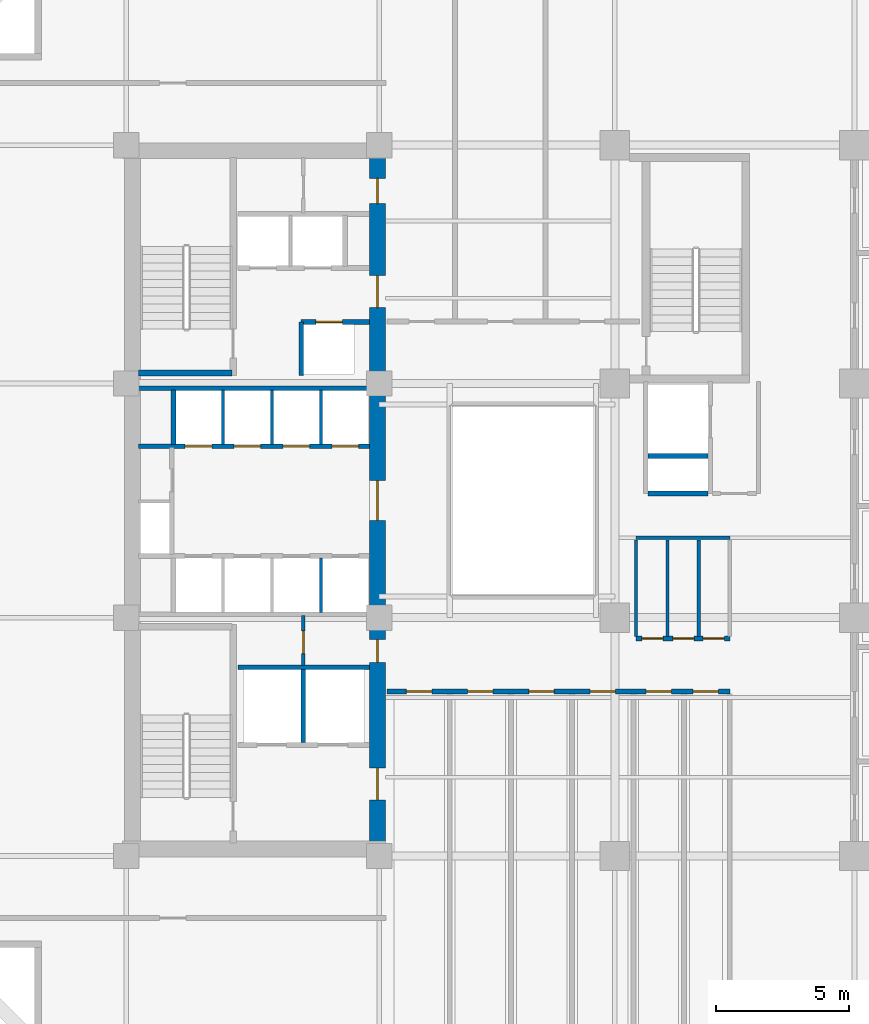
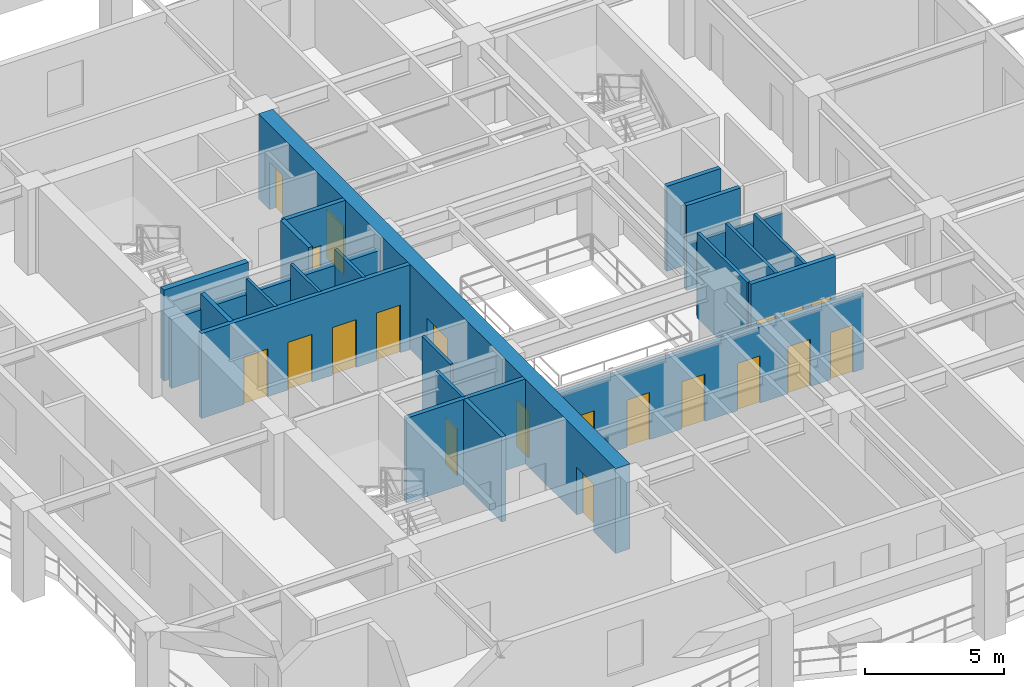
# One storey, part 4 of 11: 22 walls, 20 doors, 20 openings.
"""IFC4 building model written with IfcOpenShell, lengths in metres."""

from ifc_helpers import new_model, si_unit, direction, frame, frame_2d, origin, place, context, subcontext, project, spatial, rectangle, extrude, material, layer, layer_set, type_object, element, fill, save


model = new_model("IFC4")

# Units and contexts
model_context = context("Model", 3, precision=1e-05, world=origin(), true_north=direction((0.0, 1.0)))
body_context = subcontext(model_context, "Body", "Model", "MODEL_VIEW")
ifc_project = project(units=[si_unit("LENGTHUNIT", "METRE"), si_unit("AREAUNIT", "SQUARE_METRE"), si_unit("VOLUMEUNIT", "CUBIC_METRE"), si_unit("PLANEANGLEUNIT", "RADIAN"), si_unit("MASSUNIT", "GRAM", prefix="KILO")], contexts=[model_context])

# Site, building, storey
site_placement = place(None, origin())
site = spatial("IfcSite", under=ifc_project, at=site_placement, CompositionType="ELEMENT")
building_placement = place(site_placement, origin())
building = spatial("IfcBuilding", under=site, at=building_placement, Name="Kundavana Baori Tower", CompositionType="ELEMENT")
storey_placement = place(building_placement, frame((0.0, 0.0, 82.0)))
storey = spatial("IfcBuildingStorey", under=building, at=storey_placement, Name="L19", CompositionType="ELEMENT", Elevation=82.0)

# Wall
ifc_material_1 = material(Name="Concrete C50/60", Category="concrete")
ifc_layer_1 = layer(ifc_material_1, 0.39990234375, Name="WL-CORE-400")
ifc_layer_set_1 = layer_set([ifc_layer_1], Name="Concrete C50/60")
wall_type_1 = type_object("IfcWallType", Name="WL-CORE-400", PredefinedType="SHEAR", material=ifc_layer_set_1)
wall_1_placement = place(storey_placement, frame((15.89990234375, 33.389892578125, 0.0), z_axis=(0.0, 0.0, 1.0), x_axis=(1.0, 0.0, 0.0)))
element("IfcWall", 1, at=wall_1_placement, inside=storey, type_object=wall_type_1, Name="WL-L19-ST2-S", PredefinedType="SHEAR", context=body_context, shape_type="SweptSolid", body=[
    extrude(rectangle(XDim=3.52001953125, YDim=0.239990234375, at=frame_2d((1.760009765625, 0.0))), origin(), (0.0, 0.0, 1.0), 4.0),
])

# Wall, openings, doors
ifc_material_2 = material(Name="Concrete C60/75", Category="concrete")
ifc_layer_2 = layer(ifc_material_2, 0.60009765625, Name="WL-CORE-600")
ifc_layer_set_2 = layer_set([ifc_layer_2], Name="Concrete C60/75")
wall_type_2 = type_object("IfcWallType", Name="WL-CORE-600", PredefinedType="SHEAR", material=ifc_layer_set_2)
wall_2_placement = place(storey_placement, frame((24.8798828125, 15.739990234375, 0.0), z_axis=(0.0, 0.0, 1.0), x_axis=(0.0, 1.0, 0.0)))
wall_2 = element("IfcWall", 2, at=wall_2_placement, inside=storey, type_object=wall_type_2, Name="L19 Offset Core East Shear Wall", PredefinedType="SHEAR", context=body_context, shape_type="SweptSolid", body=[
    extrude(rectangle(XDim=25.760009765625, YDim=0.60009765625, at=frame_2d((12.8798828125, 0.0))), origin(), (0.0, 0.0, 1.0), 3.739990234375),
])
opening_1_placement = place(wall_2_placement, frame((1.610107421875, 0.0, 0.0)))
opening_1 = element("IfcOpeningElement", 3, at=opening_1_placement, cuts=wall_2, Name="Opening FD-120", PredefinedType="OPENING", context=body_context, shape_type="SweptSolid", body=[
    extrude(rectangle(XDim=1.199951171875, YDim=2.10009765625, at=frame_2d((0.60009765625, 1.050048828125))), frame((0.0, 0.31005859375, 0.0), z_axis=(0.0, -1.0, 0.0), x_axis=(1.0, 0.0, 0.0)), (0.0, 0.0, 1.0), 0.6201171875),
])
opening_2_placement = place(wall_2_placement, frame((6.780029296875, 0.0, 0.0)))
opening_2 = element("IfcOpeningElement", 4, at=opening_2_placement, cuts=wall_2, Name="Opening FD-085", PredefinedType="OPENING", context=body_context, shape_type="SweptSolid", body=[
    extrude(rectangle(XDim=0.85009765625, YDim=2.06005859375, at=frame_2d((0.425048828125, 1.030029296875))), frame((0.0, 0.31005859375, 0.0), z_axis=(0.0, -1.0, 0.0), x_axis=(1.0, 0.0, 0.0)), (0.0, 0.0, 1.0), 0.6201171875),
])
opening_3_placement = place(wall_2_placement, frame((12.110107421875, 0.0, 0.0)))
opening_3 = element("IfcOpeningElement", 5, at=opening_3_placement, cuts=wall_2, Name="Opening FD-150", PredefinedType="OPENING", context=body_context, shape_type="SweptSolid", body=[
    extrude(rectangle(XDim=1.5, YDim=2.1201171875, at=frame_2d((0.75, 1.06005859375))), frame((0.0, 0.31005859375, 0.0), z_axis=(0.0, -1.0, 0.0), x_axis=(1.0, 0.0, 0.0)), (0.0, 0.0, 1.0), 0.6201171875),
])
opening_4_placement = place(wall_2_placement, frame((20.110107421875, 0.0, 0.0)))
opening_4 = element("IfcOpeningElement", 6, at=opening_4_placement, cuts=wall_2, Name="Opening FD-122", PredefinedType="OPENING", context=body_context, shape_type="SweptSolid", body=[
    extrude(rectangle(XDim=1.199951171875, YDim=2.1201171875, at=frame_2d((0.60009765625, 1.06005859375))), frame((0.0, 0.31005859375, 0.0), z_axis=(0.0, -1.0, 0.0), x_axis=(1.0, 0.0, 0.0)), (0.0, 0.0, 1.0), 0.6201171875),
])
opening_5_placement = place(wall_2_placement, frame((24.010009765625, 0.0, 0.0)))
opening_5 = element("IfcOpeningElement", 7, at=opening_5_placement, cuts=wall_2, Name="Opening FD-095", PredefinedType="OPENING", context=body_context, shape_type="SweptSolid", body=[
    extrude(rectangle(XDim=0.949951171875, YDim=2.10009765625, at=frame_2d((0.47509765625, 1.050048828125))), frame((0.0, 0.31005859375, 0.0), z_axis=(0.0, -1.0, 0.0), x_axis=(1.0, 0.0, 0.0)), (0.0, 0.0, 1.0), 0.6201171875),
])
ifc_material_3 = material(Name="Galvanised Steel Fire-Rated Door Leaf", Category="steel")
door_type_1 = type_object("IfcDoorType", Name="DR-FD120-1200", OperationType="NOTDEFINED", PredefinedType="DOOR", material=ifc_material_3)
door_1_placement = place(opening_1_placement, frame((1.199951171875, 0.0, 0.0), z_axis=(0.0, 0.0, 1.0), x_axis=(-1.0, 0.0, 0.0)))
door_1 = element("IfcDoor", 8, at=door_1_placement, inside=storey, type_object=door_type_1, Name="DR-L19-FFLOB-E", OperationType="SINGLE_SWING_RIGHT", OverallHeight=2.10009765625, OverallWidth=1.199951171875, PredefinedType="DOOR", context=body_context, shape_type="SweptSolid", body=[
    extrude(rectangle(XDim=1.199951171875, YDim=2.10009765625, at=frame_2d((0.60009765625, 1.050048828125))), frame((0.0, 0.02490234375, 0.0), z_axis=(0.0, -1.0, 0.0), x_axis=(1.0, 0.0, 0.0)), (0.0, 0.0, 1.0), 0.050048828125),
])
fill(opening_1, door_1)
ifc_material_4 = material(Name="Galvanised Steel Fire-Rated Door Leaf", Category="steel")
door_type_2 = type_object("IfcDoorType", Name="DR-FD60-1200", OperationType="NOTDEFINED", PredefinedType="DOOR", material=ifc_material_4)
door_2_placement = place(opening_4_placement, frame((1.199951171875, 0.0, 0.0), z_axis=(0.0, 0.0, 1.0), x_axis=(-1.0, 0.0, 0.0)))
door_2 = element("IfcDoor", 9, at=door_2_placement, inside=storey, type_object=door_type_2, Name="DR-L19-HRLOB-E", OperationType="SINGLE_SWING_RIGHT", OverallHeight=2.1201171875, OverallWidth=1.199951171875, PredefinedType="DOOR", context=body_context, shape_type="SweptSolid", body=[
    extrude(rectangle(XDim=1.199951171875, YDim=2.1201171875, at=frame_2d((0.60009765625, 1.06005859375))), frame((0.0, 0.02490234375, 0.0), z_axis=(0.0, -1.0, 0.0), x_axis=(1.0, 0.0, 0.0)), (0.0, 0.0, 1.0), 0.050048828125),
])
fill(opening_4, door_2)
ifc_material_5 = material(Name="Galvanised Steel Fire-Rated Door Leaf", Category="steel")
door_type_3 = type_object("IfcDoorType", Name="DR-FD60-1500", OperationType="NOTDEFINED", PredefinedType="DOOR", material=ifc_material_5)
door_3_placement = place(opening_3_placement, frame((1.5, 0.0, 0.0), z_axis=(0.0, 0.0, 1.0), x_axis=(-1.0, 0.0, 0.0)))
door_3 = element("IfcDoor", 10, at=door_3_placement, inside=storey, type_object=door_type_3, Name="DR-L19-LIFTHALL-E", OperationType="SINGLE_SWING_LEFT", OverallHeight=2.1201171875, OverallWidth=1.5, PredefinedType="DOOR", context=body_context, shape_type="SweptSolid", body=[
    extrude(rectangle(XDim=1.5, YDim=2.1201171875, at=frame_2d((0.75, 1.06005859375))), frame((0.0, 0.02490234375, 0.0), z_axis=(0.0, -1.0, 0.0), x_axis=(1.0, 0.0, 0.0)), (0.0, 0.0, 1.0), 0.050048828125),
])
fill(opening_3, door_3)
ifc_material_6 = material(Name="Galvanised Steel Fire-Rated Door Leaf", Category="steel")
door_type_4 = type_object("IfcDoorType", Name="DR-FD60-850", OperationType="NOTDEFINED", PredefinedType="DOOR", material=ifc_material_6)
door_4_placement = place(opening_2_placement, frame((0.85009765625, 0.0, 0.0), z_axis=(0.0, 0.0, 1.0), x_axis=(-1.0, 0.0, 0.0)))
door_4 = element("IfcDoor", 11, at=door_4_placement, inside=storey, type_object=door_type_4, Name="DR-L19-CSMK2", OperationType="SINGLE_SWING_RIGHT", OverallHeight=2.06005859375, OverallWidth=0.85009765625, PredefinedType="DOOR", context=body_context, shape_type="SweptSolid", body=[
    extrude(rectangle(XDim=0.85009765625, YDim=2.06005859375, at=frame_2d((0.425048828125, 1.030029296875))), frame((0.0, 0.02490234375, 0.0), z_axis=(0.0, -1.0, 0.0), x_axis=(1.0, 0.0, 0.0)), (0.0, 0.0, 1.0), 0.050048828125),
])
fill(opening_2, door_4)
ifc_material_7 = material(Name="Engineered Teak Fire-Rated Timber Door Leaf", Category="wood")
door_type_5 = type_object("IfcDoorType", Name="DR-FD60-950", OperationType="NOTDEFINED", PredefinedType="DOOR", material=ifc_material_7)
door_5_placement = place(opening_5_placement, frame((0.949951171875, 0.0, 0.0), z_axis=(0.0, 0.0, 1.0), x_axis=(-1.0, 0.0, 0.0)))
door_5 = element("IfcDoor", 12, at=door_5_placement, inside=storey, type_object=door_type_5, Name="DR-L19-CSRV2", OperationType="SINGLE_SWING_RIGHT", OverallHeight=2.10009765625, OverallWidth=0.949951171875, PredefinedType="DOOR", context=body_context, shape_type="SweptSolid", body=[
    extrude(rectangle(XDim=0.949951171875, YDim=2.10009765625, at=frame_2d((0.47509765625, 1.050048828125))), frame((0.0, 0.02490234375, 0.0), z_axis=(0.0, -1.0, 0.0), x_axis=(1.0, 0.0, 0.0)), (0.0, 0.0, 1.0), 0.050048828125),
])
fill(opening_5, door_5)

# Wall, opening, door
ifc_material_8 = material(Name="Acoustic Gypsum Plasterboard on Galvanised Steel Studs", Category="steel")
ifc_layer_3 = layer(ifc_material_8, 0.1201171875, Name="WL-PART-120")
ifc_layer_set_3 = layer_set([ifc_layer_3], Name="Acoustic Gypsum Plasterboard on Galvanised Steel Studs")
wall_type_3 = type_object("IfcWallType", Name="WL-PART-120", PredefinedType="PARTITIONING", material=ifc_layer_set_3)
wall_3_placement = place(storey_placement, frame((22.10009765625, 22.39990234375, 0.0), z_axis=(0.0, 0.0, 1.0), x_axis=(0.0, 1.0, 0.0)))
wall_3 = element("IfcWall", 13, at=wall_3_placement, inside=storey, type_object=wall_type_3, Name="WL-L19-CSMK-D1", PredefinedType="PARTITIONING", context=body_context, shape_type="SweptSolid", body=[
    extrude(rectangle(XDim=1.880126953125, YDim=0.1201171875, at=frame_2d((0.93994140625, 0.0))), origin(), (0.0, 0.0, 1.0), 3.739990234375),
])
opening_6_placement = place(wall_3_placement, frame((0.449951171875, 0.0, 0.0)))
opening_6 = element("IfcOpeningElement", 14, at=opening_6_placement, cuts=wall_3, Name="Opening FD-085", PredefinedType="OPENING", context=body_context, shape_type="SweptSolid", body=[
    extrude(rectangle(XDim=0.85009765625, YDim=2.06005859375, at=frame_2d((0.425048828125, 1.030029296875))), frame((0.0, 0.070068359375, 0.0), z_axis=(0.0, -1.0, 0.0), x_axis=(1.0, 0.0, 0.0)), (0.0, 0.0, 1.0), 0.14013671875),
])
door_6_placement = place(opening_6_placement, origin())
door_6 = element("IfcDoor", 15, at=door_6_placement, inside=storey, type_object=door_type_4, Name="DR-L19-CSMK1", OperationType="SINGLE_SWING_LEFT", OverallHeight=2.06005859375, OverallWidth=0.85009765625, PredefinedType="DOOR", context=body_context, shape_type="SweptSolid", body=[
    extrude(rectangle(XDim=0.85009765625, YDim=2.06005859375, at=frame_2d((0.425048828125, 1.030029296875))), frame((0.0, 0.02490234375, 0.0), z_axis=(0.0, -1.0, 0.0), x_axis=(1.0, 0.0, 0.0)), (0.0, 0.0, 1.0), 0.050048828125),
])
fill(opening_6, door_6)

# Walls
for number, where, z_axis, x_axis, name in (
    (16, (22.760009765625, 24.39990234375, 0.0), (0.0, 0.0, 1.0), (0.0, 1.0, 0.0), "WL-L19-LPLOW-D3"),
    (17, (19.080078125, 30.699951171875, 0.0), (0.0, 0.0, 1.0), (0.0, 1.0, 0.0), "WL-L19-LPMID-D1"),
    (18, (20.919921875, 30.699951171875, 0.0), (0.0, 0.0, 1.0), (0.0, 1.0, 0.0), "WL-L19-LPMID-D2"),
    (19, (22.760009765625, 30.699951171875, 0.0), (0.0, 0.0, 1.0), (0.0, 1.0, 0.0), "WL-L19-LPMID-D3"),
):
    element("IfcWall", number, at=place(storey_placement, frame(where, z_axis=z_axis, x_axis=x_axis)), inside=storey, type_object=wall_type_3, Name=name, PredefinedType="PARTITIONING", context=body_context, shape_type="SweptSolid", body=[
        extrude(rectangle(XDim=2.050048828125, YDim=0.1201171875, at=frame_2d((1.02490234375, 0.0))), origin(), (0.0, 0.0, 1.0), 3.739990234375),
    ])

# Wall, openings, doors
ifc_material_9 = material(Name="Autoclaved Aerated Concrete Blockwork Masonry", Category="masonry")
ifc_layer_4 = layer(ifc_material_9, 0.18505859375, Name="WL-PART-180")
ifc_layer_set_4 = layer_set([ifc_layer_4], Name="Autoclaved Aerated Concrete Blockwork Masonry")
wall_type_4 = type_object("IfcWallType", Name="WL-PART-180", PredefinedType="SOLIDWALL", material=ifc_layer_set_4)
wall_4_placement = place(storey_placement, frame((25.25, 21.419921875, 0.0), z_axis=(0.0, 0.0, 1.0), x_axis=(1.0, 0.0, 0.0)))
wall_4 = element("IfcWall", 20, at=wall_4_placement, inside=storey, type_object=wall_type_4, Name="WL-L19-OFS", PredefinedType="SOLIDWALL", context=body_context, shape_type="SweptSolid", body=[
    extrude(rectangle(XDim=12.8701171875, YDim=0.18505859375, at=frame_2d((6.43505859375, 0.0))), origin(), (0.0, 0.0, 1.0), 3.340087890625),
])
opening_7_placement = place(wall_4_placement, frame((0.72509765625, 0.0, 0.0)))
opening_7 = element("IfcOpeningElement", 21, at=opening_7_placement, cuts=wall_4, Name="Opening ID-095", PredefinedType="OPENING", context=body_context, shape_type="SweptSolid", body=[
    extrude(rectangle(XDim=0.949951171875, YDim=2.080078125, at=frame_2d((0.47509765625, 1.0400390625))), frame((0.0, 0.1025390625, 0.0), z_axis=(0.0, -1.0, 0.0), x_axis=(1.0, 0.0, 0.0)), (0.0, 0.0, 1.0), 0.205078125),
])
opening_8_placement = place(wall_4_placement, frame((3.02490234375, 0.0, 0.0)))
opening_8 = element("IfcOpeningElement", 22, at=opening_8_placement, cuts=wall_4, Name="Opening ID-095", PredefinedType="OPENING", context=body_context, shape_type="SweptSolid", body=[
    extrude(rectangle(XDim=0.949951171875, YDim=2.080078125, at=frame_2d((0.47509765625, 1.0400390625))), frame((0.0, 0.1025390625, 0.0), z_axis=(0.0, -1.0, 0.0), x_axis=(1.0, 0.0, 0.0)), (0.0, 0.0, 1.0), 0.205078125),
])
opening_9_placement = place(wall_4_placement, frame((5.324951171875, 0.0, 0.0)))
opening_9 = element("IfcOpeningElement", 23, at=opening_9_placement, cuts=wall_4, Name="Opening ID-095", PredefinedType="OPENING", context=body_context, shape_type="SweptSolid", body=[
    extrude(rectangle(XDim=0.949951171875, YDim=2.080078125, at=frame_2d((0.47509765625, 1.0400390625))), frame((0.0, 0.1025390625, 0.0), z_axis=(0.0, -1.0, 0.0), x_axis=(1.0, 0.0, 0.0)), (0.0, 0.0, 1.0), 0.205078125),
])
opening_10_placement = place(wall_4_placement, frame((7.625, 0.0, 0.0)))
opening_10 = element("IfcOpeningElement", 24, at=opening_10_placement, cuts=wall_4, Name="Opening ID-095", PredefinedType="OPENING", context=body_context, shape_type="SweptSolid", body=[
    extrude(rectangle(XDim=0.949951171875, YDim=2.080078125, at=frame_2d((0.47509765625, 1.0400390625))), frame((0.0, 0.1025390625, 0.0), z_axis=(0.0, -1.0, 0.0), x_axis=(1.0, 0.0, 0.0)), (0.0, 0.0, 1.0), 0.205078125),
])
opening_11_placement = place(wall_4_placement, frame((9.72509765625, 0.0, 0.0)))
opening_11 = element("IfcOpeningElement", 25, at=opening_11_placement, cuts=wall_4, Name="Opening ID-095", PredefinedType="OPENING", context=body_context, shape_type="SweptSolid", body=[
    extrude(rectangle(XDim=0.949951171875, YDim=2.080078125, at=frame_2d((0.47509765625, 1.0400390625))), frame((0.0, 0.1025390625, 0.0), z_axis=(0.0, -1.0, 0.0), x_axis=(1.0, 0.0, 0.0)), (0.0, 0.0, 1.0), 0.205078125),
])
opening_12_placement = place(wall_4_placement, frame((11.4951171875, 0.0, 0.0)))
opening_12 = element("IfcOpeningElement", 26, at=opening_12_placement, cuts=wall_4, Name="Opening ID-095", PredefinedType="OPENING", context=body_context, shape_type="SweptSolid", body=[
    extrude(rectangle(XDim=0.949951171875, YDim=2.080078125, at=frame_2d((0.47509765625, 1.0400390625))), frame((0.0, 0.1025390625, 0.0), z_axis=(0.0, -1.0, 0.0), x_axis=(1.0, 0.0, 0.0)), (0.0, 0.0, 1.0), 0.205078125),
])
ifc_material_10 = material(Name="Engineered Teak Solid-Core Timber Veneer", Category="wood")
door_type_6 = type_object("IfcDoorType", Name="DR-INT-950", OperationType="NOTDEFINED", PredefinedType="DOOR", material=ifc_material_10)
door_7_placement = place(opening_7_placement, frame((0.949951171875, 0.0, 0.0), z_axis=(0.0, 0.0, 1.0), x_axis=(-1.0, 0.0, 0.0)))
door_7 = element("IfcDoor", 27, at=door_7_placement, inside=storey, type_object=door_type_6, Name="DR-L19-OFS1", OperationType="SINGLE_SWING_LEFT", OverallHeight=2.080078125, OverallWidth=0.949951171875, PredefinedType="DOOR", context=body_context, shape_type="SweptSolid", body=[
    extrude(rectangle(XDim=0.949951171875, YDim=2.080078125, at=frame_2d((0.47509765625, 1.0400390625))), frame((0.0, 0.02490234375, 0.0), z_axis=(0.0, -1.0, 0.0), x_axis=(1.0, 0.0, 0.0)), (0.0, 0.0, 1.0), 0.050048828125),
])
fill(opening_7, door_7)
door_8_placement = place(opening_8_placement, frame((0.949951171875, 0.0, 0.0), z_axis=(0.0, 0.0, 1.0), x_axis=(-1.0, 0.0, 0.0)))
door_8 = element("IfcDoor", 28, at=door_8_placement, inside=storey, type_object=door_type_6, Name="DR-L19-OFS2", OperationType="SINGLE_SWING_RIGHT", OverallHeight=2.080078125, OverallWidth=0.949951171875, PredefinedType="DOOR", context=body_context, shape_type="SweptSolid", body=[
    extrude(rectangle(XDim=0.949951171875, YDim=2.080078125, at=frame_2d((0.47509765625, 1.0400390625))), frame((0.0, 0.02490234375, 0.0), z_axis=(0.0, -1.0, 0.0), x_axis=(1.0, 0.0, 0.0)), (0.0, 0.0, 1.0), 0.050048828125),
])
fill(opening_8, door_8)
door_9_placement = place(opening_9_placement, frame((0.949951171875, 0.0, 0.0), z_axis=(0.0, 0.0, 1.0), x_axis=(-1.0, 0.0, 0.0)))
door_9 = element("IfcDoor", 29, at=door_9_placement, inside=storey, type_object=door_type_6, Name="DR-L19-OFS3", OperationType="SINGLE_SWING_LEFT", OverallHeight=2.080078125, OverallWidth=0.949951171875, PredefinedType="DOOR", context=body_context, shape_type="SweptSolid", body=[
    extrude(rectangle(XDim=0.949951171875, YDim=2.080078125, at=frame_2d((0.47509765625, 1.0400390625))), frame((0.0, 0.02490234375, 0.0), z_axis=(0.0, -1.0, 0.0), x_axis=(1.0, 0.0, 0.0)), (0.0, 0.0, 1.0), 0.050048828125),
])
fill(opening_9, door_9)
door_10_placement = place(opening_10_placement, frame((0.949951171875, 0.0, 0.0), z_axis=(0.0, 0.0, 1.0), x_axis=(-1.0, 0.0, 0.0)))
door_10 = element("IfcDoor", 30, at=door_10_placement, inside=storey, type_object=door_type_6, Name="DR-L19-OFS4", OperationType="SINGLE_SWING_RIGHT", OverallHeight=2.080078125, OverallWidth=0.949951171875, PredefinedType="DOOR", context=body_context, shape_type="SweptSolid", body=[
    extrude(rectangle(XDim=0.949951171875, YDim=2.080078125, at=frame_2d((0.47509765625, 1.0400390625))), frame((0.0, 0.02490234375, 0.0), z_axis=(0.0, -1.0, 0.0), x_axis=(1.0, 0.0, 0.0)), (0.0, 0.0, 1.0), 0.050048828125),
])
fill(opening_10, door_10)
door_11_placement = place(opening_11_placement, frame((0.949951171875, 0.0, 0.0), z_axis=(0.0, 0.0, 1.0), x_axis=(-1.0, 0.0, 0.0)))
door_11 = element("IfcDoor", 31, at=door_11_placement, inside=storey, type_object=door_type_6, Name="DR-L19-OFS5", OperationType="SINGLE_SWING_LEFT", OverallHeight=2.080078125, OverallWidth=0.949951171875, PredefinedType="DOOR", context=body_context, shape_type="SweptSolid", body=[
    extrude(rectangle(XDim=0.949951171875, YDim=2.080078125, at=frame_2d((0.47509765625, 1.0400390625))), frame((0.0, 0.02490234375, 0.0), z_axis=(0.0, -1.0, 0.0), x_axis=(1.0, 0.0, 0.0)), (0.0, 0.0, 1.0), 0.050048828125),
])
fill(opening_11, door_11)
door_12_placement = place(opening_12_placement, frame((0.949951171875, 0.0, 0.0), z_axis=(0.0, 0.0, 1.0), x_axis=(-1.0, 0.0, 0.0)))
door_12 = element("IfcDoor", 32, at=door_12_placement, inside=storey, type_object=door_type_6, Name="DR-L19-OFS6", OperationType="SINGLE_SWING_RIGHT", OverallHeight=2.080078125, OverallWidth=0.949951171875, PredefinedType="DOOR", context=body_context, shape_type="SweptSolid", body=[
    extrude(rectangle(XDim=0.949951171875, YDim=2.080078125, at=frame_2d((0.47509765625, 1.0400390625))), frame((0.0, 0.02490234375, 0.0), z_axis=(0.0, -1.0, 0.0), x_axis=(1.0, 0.0, 0.0)), (0.0, 0.0, 1.0), 0.050048828125),
])
fill(opening_12, door_12)

wall_5_placement = place(storey_placement, frame((34.60009765625, 23.419921875, 0.0), z_axis=(0.0, 0.0, 1.0), x_axis=(1.0, 0.0, 0.0)))
wall_5 = element("IfcWall", 33, at=wall_5_placement, inside=storey, type_object=wall_type_4, Name="WL-L19-OFST", PredefinedType="SOLIDWALL", context=body_context, shape_type="SweptSolid", body=[
    extrude(rectangle(XDim=3.52001953125, YDim=0.18505859375, at=frame_2d((1.760009765625, 0.0))), origin(), (0.0, 0.0, 1.0), 3.739990234375),
])
opening_13_placement = place(wall_5_placement, frame((0.219970703125, 0.0, 0.0)))
opening_13 = element("IfcOpeningElement", 34, at=opening_13_placement, cuts=wall_5, Name="Opening WD-080", PredefinedType="OPENING", context=body_context, shape_type="SweptSolid", body=[
    extrude(rectangle(XDim=0.800048828125, YDim=2.050048828125, at=frame_2d((0.39990234375, 1.02490234375))), frame((0.0, 0.1025390625, 0.0), z_axis=(0.0, -1.0, 0.0), x_axis=(1.0, 0.0, 0.0)), (0.0, 0.0, 1.0), 0.205078125),
])
opening_14_placement = place(wall_5_placement, frame((1.3798828125, 0.0, 0.0)))
opening_14 = element("IfcOpeningElement", 35, at=opening_14_placement, cuts=wall_5, Name="Opening WD-080", PredefinedType="OPENING", context=body_context, shape_type="SweptSolid", body=[
    extrude(rectangle(XDim=0.800048828125, YDim=2.050048828125, at=frame_2d((0.39990234375, 1.02490234375))), frame((0.0, 0.1025390625, 0.0), z_axis=(0.0, -1.0, 0.0), x_axis=(1.0, 0.0, 0.0)), (0.0, 0.0, 1.0), 0.205078125),
])
opening_15_placement = place(wall_5_placement, frame((2.52001953125, 0.0, 0.0)))
opening_15 = element("IfcOpeningElement", 36, at=opening_15_placement, cuts=wall_5, Name="Opening WD-080", PredefinedType="OPENING", context=body_context, shape_type="SweptSolid", body=[
    extrude(rectangle(XDim=0.800048828125, YDim=2.050048828125, at=frame_2d((0.39990234375, 1.02490234375))), frame((0.0, 0.1025390625, 0.0), z_axis=(0.0, -1.0, 0.0), x_axis=(1.0, 0.0, 0.0)), (0.0, 0.0, 1.0), 0.205078125),
])
ifc_material_11 = material(Name="Engineered Teak Solid-Core Timber Veneer", Category="wood")
door_type_7 = type_object("IfcDoorType", Name="DR-WET-800", OperationType="NOTDEFINED", PredefinedType="DOOR", material=ifc_material_11)
door_13_placement = place(opening_13_placement, origin())
door_13 = element("IfcDoor", 37, at=door_13_placement, inside=storey, type_object=door_type_7, Name="DR-L19-WCM", OperationType="SINGLE_SWING_LEFT", OverallHeight=2.050048828125, OverallWidth=0.800048828125, PredefinedType="DOOR", context=body_context, shape_type="SweptSolid", body=[
    extrude(rectangle(XDim=0.800048828125, YDim=2.050048828125, at=frame_2d((0.39990234375, 1.02490234375))), frame((0.0, 0.02490234375, 0.0), z_axis=(0.0, -1.0, 0.0), x_axis=(1.0, 0.0, 0.0)), (0.0, 0.0, 1.0), 0.050048828125),
])
fill(opening_13, door_13)
door_14_placement = place(opening_14_placement, origin())
door_14 = element("IfcDoor", 38, at=door_14_placement, inside=storey, type_object=door_type_7, Name="DR-L19-WCA", OperationType="SINGLE_SWING_RIGHT", OverallHeight=2.050048828125, OverallWidth=0.800048828125, PredefinedType="DOOR", context=body_context, shape_type="SweptSolid", body=[
    extrude(rectangle(XDim=0.800048828125, YDim=2.050048828125, at=frame_2d((0.39990234375, 1.02490234375))), frame((0.0, 0.02490234375, 0.0), z_axis=(0.0, -1.0, 0.0), x_axis=(1.0, 0.0, 0.0)), (0.0, 0.0, 1.0), 0.050048828125),
])
fill(opening_14, door_14)
door_15_placement = place(opening_15_placement, origin())
door_15 = element("IfcDoor", 39, at=door_15_placement, inside=storey, type_object=door_type_7, Name="DR-L19-PNT", OperationType="SINGLE_SWING_LEFT", OverallHeight=2.050048828125, OverallWidth=0.800048828125, PredefinedType="DOOR", context=body_context, shape_type="SweptSolid", body=[
    extrude(rectangle(XDim=0.800048828125, YDim=2.050048828125, at=frame_2d((0.39990234375, 1.02490234375))), frame((0.0, 0.02490234375, 0.0), z_axis=(0.0, -1.0, 0.0), x_axis=(1.0, 0.0, 0.0)), (0.0, 0.0, 1.0), 0.050048828125),
])
fill(opening_15, door_15)

# Walls
ifc_material_12 = material(Name="Autoclaved Aerated Concrete Blockwork Masonry", Category="masonry")
ifc_layer_5 = layer(ifc_material_12, 0.179931640625, Name="WL-SHAFT-180")
ifc_layer_set_5 = layer_set([ifc_layer_5], Name="Autoclaved Aerated Concrete Blockwork Masonry")
wall_type_5 = type_object("IfcWallType", Name="WL-SHAFT-180", PredefinedType="SOLIDWALL", material=ifc_layer_set_5)
wall_6_placement = place(storey_placement, frame((22.10009765625, 19.510009765625, 0.0), z_axis=(0.0, 0.0, 1.0), x_axis=(0.0, 1.0, 0.0)))
element("IfcWall", 40, at=wall_6_placement, inside=storey, type_object=wall_type_5, Name="WL-L19-FFL-MID", PredefinedType="SOLIDWALL", context=body_context, shape_type="SweptSolid", body=[
    extrude(rectangle(XDim=2.739990234375, YDim=0.179931640625, at=frame_2d((1.3701171875, 0.0))), origin(), (0.0, 0.0, 1.0), 3.739990234375),
])
wall_7_placement = place(storey_placement, frame((19.639892578125, 22.340087890625, 0.0), z_axis=(0.0, 0.0, 1.0), x_axis=(1.0, 0.0, 0.0)))
element("IfcWall", 41, at=wall_7_placement, inside=storey, type_object=wall_type_5, Name="WL-L19-FFL-N", PredefinedType="SOLIDWALL", context=body_context, shape_type="SweptSolid", body=[
    extrude(rectangle(XDim=4.940185546875, YDim=0.179931640625, at=frame_2d((2.47021484375, 0.0))), origin(), (0.0, 0.0, 1.0), 3.739990234375),
])

# Wall, openings, doors
wall_8_placement = place(storey_placement, frame((15.89990234375, 30.639892578125, 0.0), z_axis=(0.0, 0.0, 1.0), x_axis=(1.0, 0.0, 0.0)))
wall_8 = element("IfcWall", 42, at=wall_8_placement, inside=storey, type_object=wall_type_5, Name="WL-L19-LPMID-S", PredefinedType="SOLIDWALL", context=body_context, shape_type="SweptSolid", body=[
    extrude(rectangle(XDim=8.68017578125, YDim=0.179931640625, at=frame_2d((4.340087890625, 0.0))), origin(), (0.0, 0.0, 1.0), 3.739990234375),
])
opening_16_placement = place(wall_8_placement, frame((1.760009765625, 0.0, 0.0)))
opening_16 = element("IfcOpeningElement", 43, at=opening_16_placement, cuts=wall_8, Name="Opening LD-100", PredefinedType="OPENING", context=body_context, shape_type="SweptSolid", body=[
    extrude(rectangle(XDim=1.0, YDim=2.10009765625, at=frame_2d((0.5, 1.050048828125))), frame((0.0, 0.10009765625, 0.0), z_axis=(0.0, -1.0, 0.0), x_axis=(1.0, 0.0, 0.0)), (0.0, 0.0, 1.0), 0.199951171875),
])
opening_17_placement = place(wall_8_placement, frame((3.60009765625, 0.0, 0.0)))
opening_17 = element("IfcOpeningElement", 44, at=opening_17_placement, cuts=wall_8, Name="Opening LD-100", PredefinedType="OPENING", context=body_context, shape_type="SweptSolid", body=[
    extrude(rectangle(XDim=1.0, YDim=2.10009765625, at=frame_2d((0.5, 1.050048828125))), frame((0.0, 0.10009765625, 0.0), z_axis=(0.0, -1.0, 0.0), x_axis=(1.0, 0.0, 0.0)), (0.0, 0.0, 1.0), 0.199951171875),
])
opening_18_placement = place(wall_8_placement, frame((5.43994140625, 0.0, 0.0)))
opening_18 = element("IfcOpeningElement", 45, at=opening_18_placement, cuts=wall_8, Name="Opening LD-100", PredefinedType="OPENING", context=body_context, shape_type="SweptSolid", body=[
    extrude(rectangle(XDim=1.0, YDim=2.10009765625, at=frame_2d((0.5, 1.050048828125))), frame((0.0, 0.10009765625, 0.0), z_axis=(0.0, -1.0, 0.0), x_axis=(1.0, 0.0, 0.0)), (0.0, 0.0, 1.0), 0.199951171875),
])
opening_19_placement = place(wall_8_placement, frame((7.280029296875, 0.0, 0.0)))
opening_19 = element("IfcOpeningElement", 46, at=opening_19_placement, cuts=wall_8, Name="Opening LD-100", PredefinedType="OPENING", context=body_context, shape_type="SweptSolid", body=[
    extrude(rectangle(XDim=1.0, YDim=2.10009765625, at=frame_2d((0.5, 1.050048828125))), frame((0.0, 0.10009765625, 0.0), z_axis=(0.0, -1.0, 0.0), x_axis=(1.0, 0.0, 0.0)), (0.0, 0.0, 1.0), 0.199951171875),
])
ifc_material_13 = material(Name="Galvanised Steel Fire-Rated Door Leaf", Category="steel")
door_type_8 = type_object("IfcDoorType", Name="DR-SLIDE-LD1000", OperationType="NOTDEFINED", PredefinedType="DOOR", material=ifc_material_13)
door_16_placement = place(opening_16_placement, frame((1.0, 0.0, 0.0), z_axis=(0.0, 0.0, 1.0), x_axis=(-1.0, 0.0, 0.0)))
door_16 = element("IfcDoor", 47, at=door_16_placement, inside=storey, type_object=door_type_8, Name="DR-L19-LD-LP-05", OperationType="DOUBLE_DOOR_SLIDING", OverallHeight=2.10009765625, OverallWidth=1.0, PredefinedType="DOOR", context=body_context, shape_type="SweptSolid", body=[
    extrude(rectangle(XDim=1.0, YDim=2.10009765625, at=frame_2d((0.5, 1.050048828125))), frame((0.0, 0.02490234375, 0.0), z_axis=(0.0, -1.0, 0.0), x_axis=(1.0, 0.0, 0.0)), (0.0, 0.0, 1.0), 0.050048828125),
])
fill(opening_16, door_16)
door_17_placement = place(opening_17_placement, frame((1.0, 0.0, 0.0), z_axis=(0.0, 0.0, 1.0), x_axis=(-1.0, 0.0, 0.0)))
door_17 = element("IfcDoor", 48, at=door_17_placement, inside=storey, type_object=door_type_8, Name="DR-L19-LD-LP-06", OperationType="DOUBLE_DOOR_SLIDING", OverallHeight=2.10009765625, OverallWidth=1.0, PredefinedType="DOOR", context=body_context, shape_type="SweptSolid", body=[
    extrude(rectangle(XDim=1.0, YDim=2.10009765625, at=frame_2d((0.5, 1.050048828125))), frame((0.0, 0.02490234375, 0.0), z_axis=(0.0, -1.0, 0.0), x_axis=(1.0, 0.0, 0.0)), (0.0, 0.0, 1.0), 0.050048828125),
])
fill(opening_17, door_17)
door_18_placement = place(opening_18_placement, frame((1.0, 0.0, 0.0), z_axis=(0.0, 0.0, 1.0), x_axis=(-1.0, 0.0, 0.0)))
door_18 = element("IfcDoor", 49, at=door_18_placement, inside=storey, type_object=door_type_8, Name="DR-L19-LD-LP-07", OperationType="DOUBLE_DOOR_SLIDING", OverallHeight=2.10009765625, OverallWidth=1.0, PredefinedType="DOOR", context=body_context, shape_type="SweptSolid", body=[
    extrude(rectangle(XDim=1.0, YDim=2.10009765625, at=frame_2d((0.5, 1.050048828125))), frame((0.0, 0.02490234375, 0.0), z_axis=(0.0, -1.0, 0.0), x_axis=(1.0, 0.0, 0.0)), (0.0, 0.0, 1.0), 0.050048828125),
])
fill(opening_18, door_18)
door_19_placement = place(opening_19_placement, frame((1.0, 0.0, 0.0), z_axis=(0.0, 0.0, 1.0), x_axis=(-1.0, 0.0, 0.0)))
door_19 = element("IfcDoor", 50, at=door_19_placement, inside=storey, type_object=door_type_8, Name="DR-L19-LD-LP-08", OperationType="DOUBLE_DOOR_SLIDING", OverallHeight=2.10009765625, OverallWidth=1.0, PredefinedType="DOOR", context=body_context, shape_type="SweptSolid", body=[
    extrude(rectangle(XDim=1.0, YDim=2.10009765625, at=frame_2d((0.5, 1.050048828125))), frame((0.0, 0.02490234375, 0.0), z_axis=(0.0, -1.0, 0.0), x_axis=(1.0, 0.0, 0.0)), (0.0, 0.0, 1.0), 0.050048828125),
])
fill(opening_19, door_19)

# Walls
wall_9_placement = place(storey_placement, frame((15.89990234375, 32.820068359375, 0.0), z_axis=(0.0, 0.0, 1.0), x_axis=(1.0, 0.0, 0.0)))
element("IfcWall", 51, at=wall_9_placement, inside=storey, type_object=wall_type_5, Name="WL-L19-LPMID-N", PredefinedType="SOLIDWALL", context=body_context, shape_type="SweptSolid", body=[
    extrude(rectangle(XDim=8.68017578125, YDim=0.179931640625, at=frame_2d((4.340087890625, 0.0))), origin(), (0.0, 0.0, 1.0), 3.0400390625),
])
wall_10_placement = place(storey_placement, frame((17.219970703125, 30.699951171875, 0.0), z_axis=(0.0, 0.0, 1.0), x_axis=(0.0, 1.0, 0.0)))
element("IfcWall", 52, at=wall_10_placement, inside=storey, type_object=wall_type_5, Name="WL-L19-LPMID-W", PredefinedType="SOLIDWALL", context=body_context, shape_type="SweptSolid", body=[
    extrude(rectangle(XDim=2.050048828125, YDim=0.179931640625, at=frame_2d((1.02490234375, 0.0))), origin(), (0.0, 0.0, 1.0), 3.739990234375),
])

# Wall, opening, door
wall_11_placement = place(storey_placement, frame((22.02001953125, 35.31005859375, 0.0), z_axis=(0.0, 0.0, 1.0), x_axis=(1.0, 0.0, 0.0)))
wall_11 = element("IfcWall", 53, at=wall_11_placement, inside=storey, type_object=wall_type_5, Name="WL-L19-LP11-N", PredefinedType="SOLIDWALL", context=body_context, shape_type="SweptSolid", body=[
    extrude(rectangle(XDim=2.56005859375, YDim=0.179931640625, at=frame_2d((1.280029296875, 0.0))), origin(), (0.0, 0.0, 1.0), 3.739990234375),
])
opening_20_placement = place(wall_11_placement, frame((0.550048828125, 0.0, 0.0)))
opening_20 = element("IfcOpeningElement", 54, at=opening_20_placement, cuts=wall_11, Name="Opening LD-100", PredefinedType="OPENING", context=body_context, shape_type="SweptSolid", body=[
    extrude(rectangle(XDim=1.0, YDim=2.10009765625, at=frame_2d((0.5, 1.050048828125))), frame((0.0, 0.10009765625, 0.0), z_axis=(0.0, -1.0, 0.0), x_axis=(1.0, 0.0, 0.0)), (0.0, 0.0, 1.0), 0.199951171875),
])
door_20_placement = place(opening_20_placement, origin())
door_20 = element("IfcDoor", 55, at=door_20_placement, inside=storey, type_object=door_type_8, Name="DR-L19-LD-LP11", OperationType="DOUBLE_DOOR_SLIDING", OverallHeight=2.10009765625, OverallWidth=1.0, PredefinedType="DOOR", context=body_context, shape_type="SweptSolid", body=[
    extrude(rectangle(XDim=1.0, YDim=2.10009765625, at=frame_2d((0.5, 1.050048828125))), frame((0.0, 0.02490234375, 0.0), z_axis=(0.0, -1.0, 0.0), x_axis=(1.0, 0.0, 0.0)), (0.0, 0.0, 1.0), 0.050048828125),
])
fill(opening_20, door_20)

# Walls
wall_12_placement = place(storey_placement, frame((22.02001953125, 33.300048828125, 0.0), z_axis=(0.0, 0.0, 1.0), x_axis=(0.0, 1.0, 0.0)))
element("IfcWall", 56, at=wall_12_placement, inside=storey, type_object=wall_type_5, Name="WL-L19-LP11-W", PredefinedType="SOLIDWALL", context=body_context, shape_type="SweptSolid", body=[
    extrude(rectangle(XDim=2.010009765625, YDim=0.179931640625, at=frame_2d((1.0048828125, 0.0))), origin(), (0.0, 0.0, 1.0), 3.739990234375),
])
for number, where, z_axis, x_axis, name in (
    (57, (35.050048828125, 28.860107421875, 0.0), (0.0, 0.0, 1.0), (1.0, 0.0, 0.0), "WL-L19-SVL-S"),
    (58, (35.050048828125, 30.27001953125, 0.0), (0.0, 0.0, 1.0), (1.0, 0.0, 0.0), "WL-L19-SVL-M"),
):
    element("IfcWall", number, at=place(storey_placement, frame(where, z_axis=z_axis, x_axis=x_axis)), inside=storey, type_object=wall_type_5, Name=name, PredefinedType="SOLIDWALL", context=body_context, shape_type="SweptSolid", body=[
        extrude(rectangle(XDim=2.25, YDim=0.179931640625, at=frame_2d((1.125, 0.0))), origin(), (0.0, 0.0, 1.0), 3.739990234375),
    ])
ifc_material_14 = material(Name="Autoclaved Aerated Concrete Blockwork Masonry", Category="masonry")
ifc_layer_6 = layer(ifc_material_14, 0.125, Name="WL-WET-120")
ifc_layer_set_6 = layer_set([ifc_layer_6], Name="Autoclaved Aerated Concrete Blockwork Masonry")
wall_type_6 = type_object("IfcWallType", Name="WL-WET-120", PredefinedType="PLUMBINGWALL", material=ifc_layer_set_6)
wall_13_placement = place(storey_placement, frame((34.60009765625, 27.199951171875, 0.0), z_axis=(0.0, 0.0, 1.0), x_axis=(1.0, 0.0, 0.0)))
element("IfcWall", 59, at=wall_13_placement, inside=storey, type_object=wall_type_6, Name="WL-L19-WCN", PredefinedType="PLUMBINGWALL", context=body_context, shape_type="SweptSolid", body=[
    extrude(rectangle(XDim=3.52001953125, YDim=0.125, at=frame_2d((1.760009765625, 0.0))), origin(), (0.0, 0.0, 1.0), 3.340087890625),
])
for number, where, z_axis, x_axis, name in (
    (60, (34.60009765625, 23.5, 0.0), (0.0, 0.0, 1.0), (0.0, 1.0, 0.0), "WL-L19-WCW"),
    (61, (35.780029296875, 23.5, 0.0), (0.0, 0.0, 1.0), (0.0, 1.0, 0.0), "WL-L19-WCD1"),
    (62, (36.9599609375, 23.5, 0.0), (0.0, 0.0, 1.0), (0.0, 1.0, 0.0), "WL-L19-WCD2"),
):
    element("IfcWall", number, at=place(storey_placement, frame(where, z_axis=z_axis, x_axis=x_axis)), inside=storey, type_object=wall_type_6, Name=name, PredefinedType="PLUMBINGWALL", context=body_context, shape_type="SweptSolid", body=[
        extrude(rectangle(XDim=3.6201171875, YDim=0.125, at=frame_2d((1.81005859375, 0.0))), origin(), (0.0, 0.0, 1.0), 3.739990234375),
    ])

save(model, "model.ifc")
